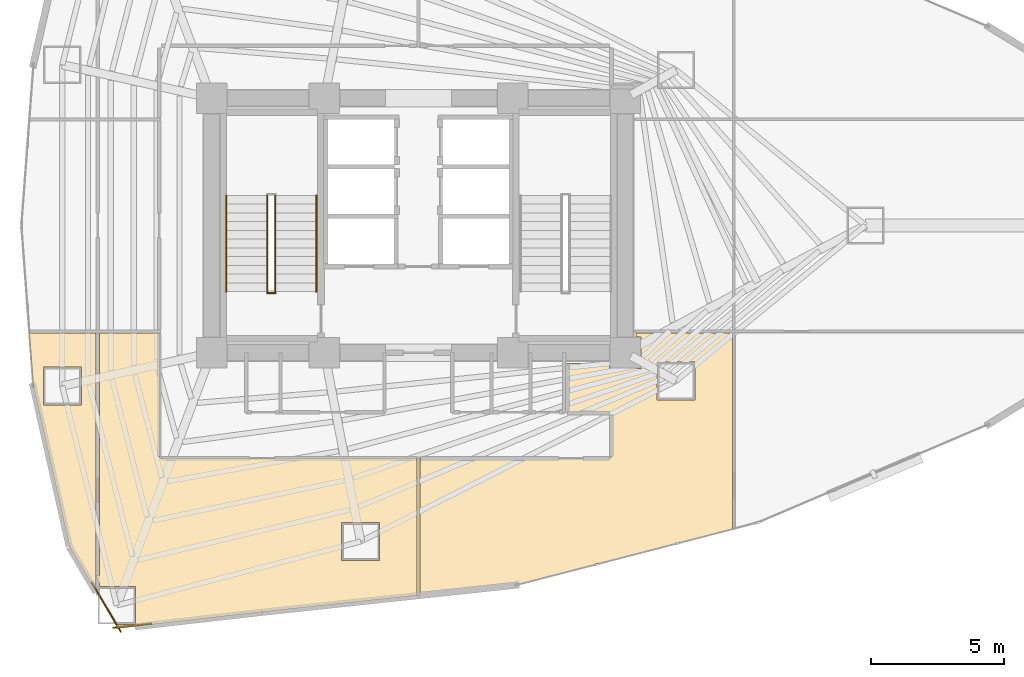
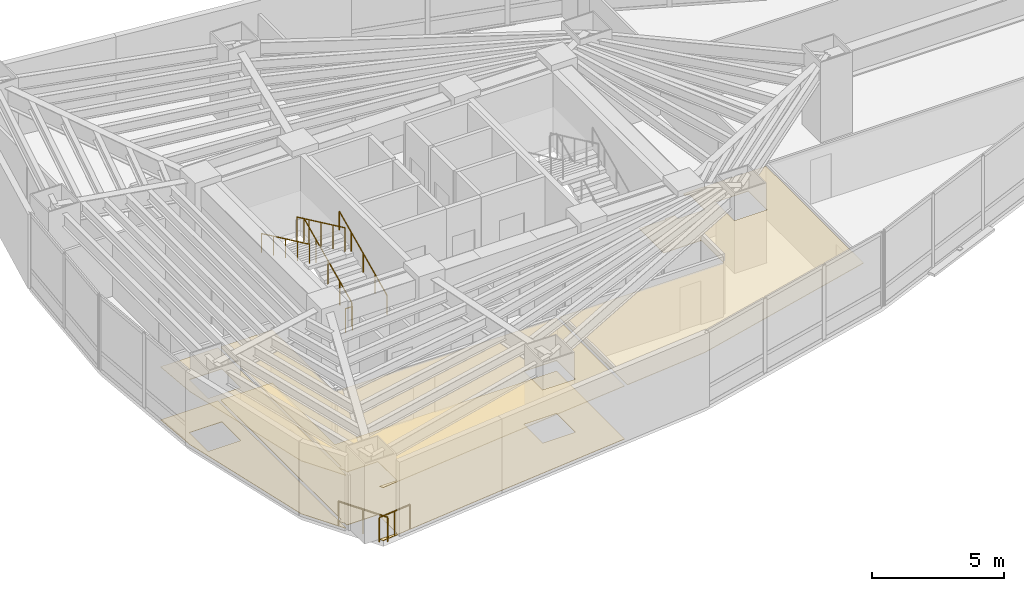
# One storey, part 18 of 20: 7 railings, 5 coverings.
"""IFC4 building model written with IfcOpenShell, lengths in metres."""

from ifc_helpers import new_model, si_unit, direction, frame, origin, origin_2d, place, context, subcontext, project, spatial, polyline, circle, outline, extrude, material, layer, layer_set, type_object, element, save


model = new_model("IFC4")

# Units and contexts
model_context = context("Model", 3, precision=1e-05, world=origin(), true_north=direction((0.0, 1.0)))
body_context = subcontext(model_context, "Body", "Model", "MODEL_VIEW")
ifc_project = project(units=[si_unit("LENGTHUNIT", "METRE"), si_unit("AREAUNIT", "SQUARE_METRE"), si_unit("VOLUMEUNIT", "CUBIC_METRE"), si_unit("PLANEANGLEUNIT", "RADIAN"), si_unit("MASSUNIT", "GRAM", prefix="KILO")], contexts=[model_context])

# Site, building, storey
site_placement = place(None, origin())
site = spatial("IfcSite", under=ifc_project, at=site_placement, CompositionType="ELEMENT")
building_placement = place(site_placement, origin())
building = spatial("IfcBuilding", under=site, at=building_placement, Name="Menara Vayukalpa", CompositionType="ELEMENT")
storey_placement = place(building_placement, frame((0.0, 0.0, 64.800048828125)))
storey = spatial("IfcBuildingStorey", under=building, at=storey_placement, Name="L15", CompositionType="ELEMENT", Elevation=64.800048828125)

# Coverings
ifc_material_1 = material(Name="Mineral Fibre Acoustic Ceiling Tile", Category="masonry")
ifc_layer_1 = layer(ifc_material_1, 0.02490234375)
ifc_layer_set_1 = layer_set([ifc_layer_1], Name="Mineral Fibre Acoustic Ceiling Tile")
covering_type_1 = type_object("IfcCoveringType", Name="COV-CLG1", PredefinedType="CEILING", material=ifc_layer_set_1)
covering_1_placement = place(storey_placement, frame((0.0, 0.0, 2.449951171875)))
element("IfcCovering", 1, at=covering_1_placement, inside=storey, type_object=covering_type_1, Name="L15 Technical Reference Library Acoustic Ceiling", PredefinedType="CEILING", context=body_context, shape_type="SweptSolid", body=[
    extrude(outline(polyline([(12.43701171875, 9.885009765625), (12.4365234375, 9.885986328125), (11.07421875, 15.941162109375), (11.073974609375, 15.942626953125), (10.925048828125, 17.92919921875), (10.925048828125, 17.93017578125), (10.925048828125, 17.93115234375), (10.92529296875, 17.93212890625), (10.925537109375, 17.93310546875), (10.92578125, 17.93408203125), (10.92626953125, 17.934814453125), (10.9267578125, 17.935791015625), (10.92724609375, 17.936279296875), (10.927978515625, 17.93701171875), (10.9287109375, 17.937744140625), (10.929443359375, 17.9384765625), (10.930419921875, 17.93896484375), (10.93115234375, 17.939208984375), (10.93212890625, 17.939697265625), (10.93310546875, 17.939697265625), (10.93408203125, 17.93994140625), (10.93505859375, 17.93994140625), (13.429931640625, 17.93994140625), (13.430908203125, 17.93994140625), (13.431884765625, 17.939697265625), (13.432861328125, 17.939697265625), (13.433837890625, 17.939208984375), (13.434814453125, 17.938720703125), (13.435546875, 17.938232421875), (13.436279296875, 17.937744140625), (13.43701171875, 17.93701171875), (13.437744140625, 17.936279296875), (13.438232421875, 17.935546875), (13.438720703125, 17.934814453125), (13.439208984375, 17.933837890625), (13.439697265625, 17.932861328125), (13.439697265625, 17.931884765625), (13.43994140625, 17.930908203125), (13.43994140625, 17.929931640625), (13.43994140625, 8.215087890625), (13.43994140625, 8.214111328125), (13.439697265625, 8.213134765625), (13.439697265625, 8.212158203125), (13.439208984375, 8.211181640625), (13.43896484375, 8.21044921875), (13.4384765625, 8.209716796875), (13.437744140625, 8.208740234375), (13.437255859375, 8.2080078125), (13.436279296875, 8.20751953125), (13.435791015625, 8.206787109375), (13.434814453125, 8.206298828125), (13.43408203125, 8.205810546875), (13.43310546875, 8.20556640625), (13.43212890625, 8.205322265625), (13.43115234375, 8.205078125), (13.43017578125, 8.205078125), (13.42919921875, 8.205078125), (13.42822265625, 8.205078125), (13.427490234375, 8.20556640625), (13.426513671875, 8.205810546875), (13.425537109375, 8.2060546875), (13.4248046875, 8.20654296875), (13.423828125, 8.207275390625), (13.423095703125, 8.207763671875), (13.422607421875, 8.20849609375), (13.421875, 8.209228515625), (13.42138671875, 8.2099609375), (12.437744140625, 9.88330078125), (12.437255859375, 9.884033203125), (12.43701171875, 9.885009765625)]), holes=[polyline([(12.879150390625, 16.655517578125), (11.44921875, 16.655517578125), (11.44921875, 15.225341796875), (12.879150390625, 15.225341796875), (12.879150390625, 16.655517578125)])]), origin(), (0.0, 0.0, 1.0), 0.02490234375),
])
covering_2_placement = place(storey_placement, frame((0.0, 0.0, 2.449951171875)))
element("IfcCovering", 2, at=covering_2_placement, inside=storey, type_object=covering_type_1, Name="L15 Technical Reference Library Acoustic Ceiling", PredefinedType="CEILING", context=body_context, shape_type="SweptSolid", body=[
    extrude(outline(polyline([(13.56005859375, 8.800537109375), (13.56005859375, 17.929931640625), (13.56005859375, 17.930908203125), (13.560302734375, 17.931884765625), (13.560302734375, 17.932861328125), (13.560791015625, 17.933837890625), (13.561279296875, 17.934814453125), (13.561767578125, 17.935546875), (13.562255859375, 17.936279296875), (13.56298828125, 17.93701171875), (13.563720703125, 17.937744140625), (13.564453125, 17.938232421875), (13.565185546875, 17.938720703125), (13.566162109375, 17.939208984375), (13.567138671875, 17.939697265625), (13.568115234375, 17.939697265625), (13.569091796875, 17.93994140625), (13.570068359375, 17.93994140625), (15.820068359375, 17.93994140625), (15.821044921875, 17.93994140625), (15.822021484375, 17.939697265625), (15.822998046875, 17.939697265625), (15.82373046875, 17.939208984375), (15.82470703125, 17.938720703125), (15.82568359375, 17.938232421875), (15.826416015625, 17.937744140625), (15.8271484375, 17.93701171875), (15.82763671875, 17.936279296875), (15.828369140625, 17.935546875), (15.828857421875, 17.934814453125), (15.8291015625, 17.933837890625), (15.82958984375, 17.932861328125), (15.829833984375, 17.931884765625), (15.830078125, 17.930908203125), (15.830078125, 17.929931640625), (15.830078125, 13.290283203125), (15.830322265625, 13.283203125), (15.831298828125, 13.2763671875), (15.8330078125, 13.269775390625), (15.835205078125, 13.26318359375), (15.838134765625, 13.257080078125), (15.841796875, 13.251220703125), (15.845947265625, 13.24560546875), (15.8505859375, 13.240478515625), (15.85546875, 13.236083984375), (15.861083984375, 13.231689453125), (15.866943359375, 13.228271484375), (15.873291015625, 13.225341796875), (15.879638671875, 13.222900390625), (15.88623046875, 13.22119140625), (15.893310546875, 13.220458984375), (15.900390625, 13.219970703125), (25.530029296875, 13.219970703125), (25.531005859375, 13.219970703125), (25.531982421875, 13.2197265625), (25.532958984375, 13.219482421875), (25.53369140625, 13.21923828125), (25.53466796875, 13.21875), (25.53564453125, 13.21826171875), (25.536376953125, 13.2177734375), (25.537109375, 13.217041015625), (25.53759765625, 13.21630859375), (25.538330078125, 13.215576171875), (25.538818359375, 13.214599609375), (25.539306640625, 13.2138671875), (25.53955078125, 13.212890625), (25.539794921875, 13.2119140625), (25.5400390625, 13.2109375), (25.5400390625, 13.2099609375), (25.5400390625, 8.0498046875), (25.5400390625, 8.048828125), (25.539794921875, 8.048095703125), (25.53955078125, 8.047119140625), (25.539306640625, 8.046142578125), (25.538818359375, 8.045166015625), (25.538330078125, 8.04443359375), (25.537841796875, 8.043701171875), (25.537109375, 8.04296875), (25.536376953125, 8.042236328125), (25.53564453125, 8.04150390625), (25.534912109375, 8.041015625), (25.533935546875, 8.040771484375), (25.532958984375, 8.040283203125), (25.531982421875, 8.0400390625), (25.531005859375, 8.0400390625), (19.70068359375, 7.415771484375), (19.700439453125, 7.415771484375), (14.258056640625, 6.798583984375), (14.257080078125, 6.79833984375), (14.256103515625, 6.79833984375), (14.255126953125, 6.798583984375), (14.254150390625, 6.798828125), (14.25341796875, 6.799072265625), (14.25244140625, 6.799560546875), (14.251708984375, 6.7998046875), (14.250732421875, 6.800537109375), (14.25, 6.801025390625), (14.24951171875, 6.8017578125), (14.248779296875, 6.802490234375), (14.248291015625, 6.80322265625), (14.16162109375, 6.95068359375), (14.9326171875, 6.95068359375), (14.9326171875, 8.380615234375), (13.56005859375, 8.380615234375), (13.56005859375, 8.507080078125), (13.387451171875, 8.800537109375), (13.56005859375, 8.800537109375)]), holes=[polyline([(24.134521484375, 10.792236328125), (22.704345703125, 10.792236328125), (22.704345703125, 9.3623046875), (24.134521484375, 9.3623046875), (24.134521484375, 10.792236328125)])]), origin(), (0.0, 0.0, 1.0), 0.02490234375),
])
covering_3_placement = place(storey_placement, frame((0.0, 0.0, 2.449951171875)))
element("IfcCovering", 3, at=covering_3_placement, inside=storey, type_object=covering_type_1, Name="L15 Technical Reference Library Acoustic Ceiling", PredefinedType="CEILING", context=body_context, shape_type="SweptSolid", body=[
    extrude(outline(polyline([(25.671142578125, 8.054931640625), (25.670166015625, 8.054931640625), (25.669189453125, 8.054931640625), (25.668212890625, 8.05517578125), (25.667236328125, 8.055419921875), (25.666259765625, 8.0556640625), (25.665283203125, 8.05615234375), (25.66455078125, 8.056640625), (25.663818359375, 8.05712890625), (25.6630859375, 8.057861328125), (25.662353515625, 8.05859375), (25.66162109375, 8.059326171875), (25.6611328125, 8.060302734375), (25.660888671875, 8.06103515625), (25.660400390625, 8.06201171875), (25.66015625, 8.06298828125), (25.659912109375, 8.06396484375), (25.659912109375, 8.06494140625), (25.659912109375, 13.2099609375), (25.659912109375, 13.2109375), (25.66015625, 13.2119140625), (25.660400390625, 13.212890625), (25.660888671875, 13.2138671875), (25.6611328125, 13.214599609375), (25.66162109375, 13.215576171875), (25.662353515625, 13.21630859375), (25.662841796875, 13.217041015625), (25.663818359375, 13.2177734375), (25.664306640625, 13.21826171875), (25.665283203125, 13.21875), (25.666259765625, 13.21923828125), (25.6669921875, 13.219482421875), (25.66796875, 13.2197265625), (25.6689453125, 13.219970703125), (25.669921875, 13.219970703125), (32.7998046875, 13.219970703125), (32.806884765625, 13.220458984375), (32.813720703125, 13.22119140625), (32.8203125, 13.222900390625), (32.826904296875, 13.225341796875), (32.8330078125, 13.228271484375), (32.8388671875, 13.231689453125), (32.844482421875, 13.236083984375), (32.849609375, 13.240478515625), (32.85400390625, 13.24560546875), (32.858154296875, 13.251220703125), (32.86181640625, 13.257080078125), (32.86474609375, 13.26318359375), (32.866943359375, 13.269775390625), (32.86865234375, 13.2763671875), (32.86962890625, 13.283203125), (32.8701171875, 13.290283203125), (32.8701171875, 14.849609375), (32.86962890625, 14.856689453125), (32.86865234375, 14.86376953125), (32.866943359375, 14.870361328125), (32.86474609375, 14.876708984375), (32.86181640625, 14.883056640625), (32.858154296875, 14.888916015625), (32.85400390625, 14.89453125), (32.849609375, 14.8994140625), (32.844482421875, 14.904052734375), (32.8388671875, 14.908203125), (32.8330078125, 14.911865234375), (32.826904296875, 14.914794921875), (32.8203125, 14.9169921875), (32.813720703125, 14.918701171875), (32.806884765625, 14.919677734375), (32.7998046875, 14.919921875), (31.219970703125, 14.919921875), (31.218994140625, 14.919921875), (31.218017578125, 14.920166015625), (31.217041015625, 14.92041015625), (31.21630859375, 14.9208984375), (31.21533203125, 14.921142578125), (31.21435546875, 14.921630859375), (31.213623046875, 14.92236328125), (31.212890625, 14.9228515625), (31.21240234375, 14.923583984375), (31.211669921875, 14.92431640625), (31.211181640625, 14.92529296875), (31.210693359375, 14.92626953125), (31.21044921875, 14.927001953125), (31.210205078125, 14.927978515625), (31.2099609375, 14.928955078125), (31.2099609375, 14.929931640625), (31.2099609375, 16.780029296875), (31.2099609375, 16.781005859375), (31.210205078125, 16.781982421875), (31.21044921875, 16.782958984375), (31.210693359375, 16.78369140625), (31.211181640625, 16.78466796875), (31.211669921875, 16.78564453125), (31.21240234375, 16.786376953125), (31.212890625, 16.787109375), (31.213623046875, 16.78759765625), (31.21435546875, 16.788330078125), (31.21533203125, 16.788818359375), (31.21630859375, 16.789306640625), (31.217041015625, 16.78955078125), (31.218017578125, 16.789794921875), (31.218994140625, 16.7900390625), (31.219970703125, 16.7900390625), (32.389892578125, 16.7900390625), (32.389892578125, 16.85009765625), (32.81005859375, 16.85009765625), (32.81005859375, 16.610107421875), (33.989990234375, 16.610107421875), (33.989990234375, 17.7900390625), (33.81005859375, 17.7900390625), (33.81005859375, 17.929931640625), (33.81005859375, 17.930908203125), (33.810302734375, 17.931884765625), (33.810302734375, 17.932861328125), (33.810791015625, 17.933837890625), (33.811279296875, 17.934814453125), (33.811767578125, 17.935546875), (33.812255859375, 17.936279296875), (33.81298828125, 17.93701171875), (33.813720703125, 17.937744140625), (33.814453125, 17.938232421875), (33.815185546875, 17.938720703125), (33.816162109375, 17.939208984375), (33.817138671875, 17.939697265625), (33.818115234375, 17.939697265625), (33.819091796875, 17.93994140625), (33.820068359375, 17.93994140625), (37.429931640625, 17.93994140625), (37.430908203125, 17.93994140625), (37.431884765625, 17.939697265625), (37.432861328125, 17.939697265625), (37.433837890625, 17.939208984375), (37.434814453125, 17.938720703125), (37.435546875, 17.938232421875), (37.436279296875, 17.937744140625), (37.43701171875, 17.93701171875), (37.437744140625, 17.936279296875), (37.438232421875, 17.935546875), (37.438720703125, 17.934814453125), (37.439208984375, 17.933837890625), (37.439697265625, 17.932861328125), (37.439697265625, 17.931884765625), (37.43994140625, 17.930908203125), (37.43994140625, 17.929931640625), (37.43994140625, 10.55859375), (37.43994140625, 10.5576171875), (37.439697265625, 10.556640625), (37.439453125, 10.5556640625), (37.439208984375, 10.5546875), (37.438720703125, 10.5537109375), (37.438232421875, 10.552978515625), (37.4375, 10.552001953125), (37.43701171875, 10.551513671875), (37.43603515625, 10.55078125), (37.435302734375, 10.550048828125), (37.434326171875, 10.549560546875), (37.43359375, 10.54931640625), (37.4326171875, 10.548828125), (29.287109375, 8.442138671875), (29.28564453125, 8.44189453125), (25.671142578125, 8.054931640625)]), holes=[polyline([(36.032958984375, 16.851806640625), (34.60302734375, 16.851806640625), (34.60302734375, 15.421875), (36.032958984375, 15.421875), (36.032958984375, 16.851806640625)])]), origin(), (0.0, 0.0, 1.0), 0.02490234375),
])
ifc_material_2 = material(Name="Porcelain Stoneware Floor Tile", Category="masonry")
ifc_layer_2 = layer(ifc_material_2, 0.02001953125)
ifc_layer_set_2 = layer_set([ifc_layer_2], Name="Porcelain Stoneware Floor Tile")
covering_type_2 = type_object("IfcCoveringType", Name="COV-FLR1", PredefinedType="FLOORING", material=ifc_layer_set_2)
covering_4_placement = place(storey_placement, origin())
element("IfcCovering", 4, at=covering_4_placement, inside=storey, type_object=covering_type_2, Name="L15 Technical Reference Library Porcelain Flooring", PredefinedType="FLOORING", context=body_context, shape_type="SweptSolid", body=[
    extrude(outline(polyline([(12.43701171875, 9.885009765625), (12.4365234375, 9.885986328125), (11.07421875, 15.941162109375), (11.073974609375, 15.942626953125), (10.925048828125, 17.92919921875), (10.925048828125, 17.93017578125), (10.925048828125, 17.93115234375), (10.92529296875, 17.93212890625), (10.925537109375, 17.93310546875), (10.92578125, 17.93408203125), (10.92626953125, 17.934814453125), (10.9267578125, 17.935791015625), (10.92724609375, 17.936279296875), (10.927978515625, 17.93701171875), (10.9287109375, 17.937744140625), (10.929443359375, 17.9384765625), (10.930419921875, 17.93896484375), (10.93115234375, 17.939208984375), (10.93212890625, 17.939697265625), (10.93310546875, 17.939697265625), (10.93408203125, 17.93994140625), (10.93505859375, 17.93994140625), (13.429931640625, 17.93994140625), (13.430908203125, 17.93994140625), (13.431884765625, 17.939697265625), (13.432861328125, 17.939697265625), (13.433837890625, 17.939208984375), (13.434814453125, 17.938720703125), (13.435546875, 17.938232421875), (13.436279296875, 17.937744140625), (13.43701171875, 17.93701171875), (13.437744140625, 17.936279296875), (13.438232421875, 17.935546875), (13.438720703125, 17.934814453125), (13.439208984375, 17.933837890625), (13.439697265625, 17.932861328125), (13.439697265625, 17.931884765625), (13.43994140625, 17.930908203125), (13.43994140625, 17.929931640625), (13.43994140625, 8.215087890625), (13.43994140625, 8.214111328125), (13.439697265625, 8.213134765625), (13.439697265625, 8.212158203125), (13.439208984375, 8.211181640625), (13.43896484375, 8.21044921875), (13.4384765625, 8.209716796875), (13.437744140625, 8.208740234375), (13.437255859375, 8.2080078125), (13.436279296875, 8.20751953125), (13.435791015625, 8.206787109375), (13.434814453125, 8.206298828125), (13.43408203125, 8.205810546875), (13.43310546875, 8.20556640625), (13.43212890625, 8.205322265625), (13.43115234375, 8.205078125), (13.43017578125, 8.205078125), (13.42919921875, 8.205078125), (13.42822265625, 8.205078125), (13.427490234375, 8.20556640625), (13.426513671875, 8.205810546875), (13.425537109375, 8.2060546875), (13.4248046875, 8.20654296875), (13.423828125, 8.207275390625), (13.423095703125, 8.207763671875), (13.422607421875, 8.20849609375), (13.421875, 8.209228515625), (13.42138671875, 8.2099609375), (12.437744140625, 9.88330078125), (12.437255859375, 9.884033203125), (12.43701171875, 9.885009765625)]), holes=[polyline([(12.879150390625, 16.655517578125), (11.44921875, 16.655517578125), (11.44921875, 15.225341796875), (12.879150390625, 15.225341796875), (12.879150390625, 16.655517578125)])]), origin(), (0.0, 0.0, 1.0), 0.02001953125),
])
covering_5_placement = place(storey_placement, origin())
element("IfcCovering", 5, at=covering_5_placement, inside=storey, type_object=covering_type_2, Name="L15 Technical Reference Library Porcelain Flooring", PredefinedType="FLOORING", context=body_context, shape_type="SweptSolid", body=[
    extrude(outline(polyline([(13.56005859375, 8.800537109375), (13.56005859375, 17.929931640625), (13.56005859375, 17.930908203125), (13.560302734375, 17.931884765625), (13.560302734375, 17.932861328125), (13.560791015625, 17.933837890625), (13.561279296875, 17.934814453125), (13.561767578125, 17.935546875), (13.562255859375, 17.936279296875), (13.56298828125, 17.93701171875), (13.563720703125, 17.937744140625), (13.564453125, 17.938232421875), (13.565185546875, 17.938720703125), (13.566162109375, 17.939208984375), (13.567138671875, 17.939697265625), (13.568115234375, 17.939697265625), (13.569091796875, 17.93994140625), (13.570068359375, 17.93994140625), (15.820068359375, 17.93994140625), (15.821044921875, 17.93994140625), (15.822021484375, 17.939697265625), (15.822998046875, 17.939697265625), (15.82373046875, 17.939208984375), (15.82470703125, 17.938720703125), (15.82568359375, 17.938232421875), (15.826416015625, 17.937744140625), (15.8271484375, 17.93701171875), (15.82763671875, 17.936279296875), (15.828369140625, 17.935546875), (15.828857421875, 17.934814453125), (15.8291015625, 17.933837890625), (15.82958984375, 17.932861328125), (15.829833984375, 17.931884765625), (15.830078125, 17.930908203125), (15.830078125, 17.929931640625), (15.830078125, 13.290283203125), (15.830322265625, 13.283203125), (15.831298828125, 13.2763671875), (15.8330078125, 13.269775390625), (15.835205078125, 13.26318359375), (15.838134765625, 13.257080078125), (15.841796875, 13.251220703125), (15.845947265625, 13.24560546875), (15.8505859375, 13.240478515625), (15.85546875, 13.236083984375), (15.861083984375, 13.231689453125), (15.866943359375, 13.228271484375), (15.873291015625, 13.225341796875), (15.879638671875, 13.222900390625), (15.88623046875, 13.22119140625), (15.893310546875, 13.220458984375), (15.900390625, 13.219970703125), (25.530029296875, 13.219970703125), (25.531005859375, 13.219970703125), (25.531982421875, 13.2197265625), (25.532958984375, 13.219482421875), (25.53369140625, 13.21923828125), (25.53466796875, 13.21875), (25.53564453125, 13.21826171875), (25.536376953125, 13.2177734375), (25.537109375, 13.217041015625), (25.53759765625, 13.21630859375), (25.538330078125, 13.215576171875), (25.538818359375, 13.214599609375), (25.539306640625, 13.2138671875), (25.53955078125, 13.212890625), (25.539794921875, 13.2119140625), (25.5400390625, 13.2109375), (25.5400390625, 13.2099609375), (25.5400390625, 8.0498046875), (25.5400390625, 8.048828125), (25.539794921875, 8.048095703125), (25.53955078125, 8.047119140625), (25.539306640625, 8.046142578125), (25.538818359375, 8.045166015625), (25.538330078125, 8.04443359375), (25.537841796875, 8.043701171875), (25.537109375, 8.04296875), (25.536376953125, 8.042236328125), (25.53564453125, 8.04150390625), (25.534912109375, 8.041015625), (25.533935546875, 8.040771484375), (25.532958984375, 8.040283203125), (25.531982421875, 8.0400390625), (25.531005859375, 8.0400390625), (19.70068359375, 7.415771484375), (19.700439453125, 7.415771484375), (14.258056640625, 6.798583984375), (14.257080078125, 6.79833984375), (14.256103515625, 6.79833984375), (14.255126953125, 6.798583984375), (14.254150390625, 6.798828125), (14.25341796875, 6.799072265625), (14.25244140625, 6.799560546875), (14.251708984375, 6.7998046875), (14.250732421875, 6.800537109375), (14.25, 6.801025390625), (14.24951171875, 6.8017578125), (14.248779296875, 6.802490234375), (14.248291015625, 6.80322265625), (14.16162109375, 6.95068359375), (14.9326171875, 6.95068359375), (14.9326171875, 8.380615234375), (13.56005859375, 8.380615234375), (13.56005859375, 8.507080078125), (13.387451171875, 8.800537109375), (13.56005859375, 8.800537109375)]), holes=[polyline([(24.134521484375, 10.792236328125), (22.704345703125, 10.792236328125), (22.704345703125, 9.3623046875), (24.134521484375, 9.3623046875), (24.134521484375, 10.792236328125)])]), origin(), (0.0, 0.0, 1.0), 0.02001953125),
])

# Railings
ifc_material_3 = material(Name="Laminated Glass and Stainless Steel 316 Guardrail", Category="steel")
railing_type_1 = type_object("IfcRailingType", Name="RLG-EXT115", PredefinedType="GUARDRAIL", material=ifc_material_3)
railing_1_placement = place(storey_placement, frame((13.27978515625, 8.529541015625, 0.0)))
element("IfcRailing", 6, at=railing_1_placement, inside=storey, type_object=railing_type_1, Name="L15 Column Corner Spandrel Guardrail 13-1", PredefinedType="GUARDRAIL", context=body_context, shape_type="SweptSolid", body=[
    extrude(circle(Radius=0.02392578125, at=origin_2d()), frame((0.0, 0.0, 1.1259765625), z_axis=(0.506816821418, -0.862053774151, 0.0), x_axis=(0.862053774151, 0.506816821418, 0.0)), (0.0, 0.0, 1.0), 2.15185546875),
    extrude(circle(Radius=0.02099609375, at=origin_2d()), origin(), (0.0, 0.0, 1.0), 1.101806640625),
    extrude(circle(Radius=0.02099609375, at=origin_2d()), frame((0.54541015625, -0.927490234375, 0.0)), (0.0, 0.0, 1.0), 1.101806640625),
    extrude(circle(Radius=0.02099609375, at=origin_2d()), frame((1.090576171875, -1.85498046875, 0.0)), (0.0, 0.0, 1.0), 1.101806640625),
])
railing_2_placement = place(storey_placement, frame((14.08154296875, 6.81884765625, 0.0)))
element("IfcRailing", 7, at=railing_2_placement, inside=storey, type_object=railing_type_1, Name="L15 Column Corner Spandrel Guardrail 14-1", PredefinedType="GUARDRAIL", context=body_context, shape_type="SweptSolid", body=[
    extrude(circle(Radius=0.02392578125, at=origin_2d()), frame((0.0, 0.0, 1.1259765625), z_axis=(0.993641249981, 0.112592479038, 0.0), x_axis=(-0.112592479038, 0.993641249981, 0.0)), (0.0, 0.0, 1.0), 1.45068359375),
    extrude(circle(Radius=0.02099609375, at=origin_2d()), origin(), (0.0, 0.0, 1.0), 1.101806640625),
    extrude(circle(Radius=0.02099609375, at=origin_2d()), frame((0.720703125, 0.08154296875, 0.0)), (0.0, 0.0, 1.0), 1.101806640625),
    extrude(circle(Radius=0.02099609375, at=origin_2d()), frame((1.44140625, 0.163330078125, 0.0)), (0.0, 0.0, 1.0), 1.101806640625),
])
ifc_material_4 = material(Name="Powder-Coated Galvanised Steel Guardrail", Category="steel")
railing_type_2 = type_object("IfcRailingType", Name="RLG-STG110", PredefinedType="GUARDRAIL", material=ifc_material_4)
railing_3_placement = place(storey_placement, frame((20.199951171875, 19.5, 0.155029296875)))
element("IfcRailing", 8, at=railing_3_placement, inside=storey, type_object=railing_type_2, Name="L15 ST-1 stair guard 1", PredefinedType="GUARDRAIL", context=body_context, shape_type="SweptSolid", body=[
    extrude(circle(Radius=0.02392578125, at=origin_2d()), frame((0.0, 0.0, 1.09619140625), z_axis=(0.0, 0.90513990983, 0.425113800803), x_axis=(-1.0, 0.0, 0.0)), (0.0, 0.0, 1.0), 4.01025390625),
    extrude(circle(Radius=0.02099609375, at=origin_2d()), origin(), (0.0, 0.0, 1.0), 1.072021484375),
    extrude(circle(Radius=0.02099609375, at=origin_2d()), frame((0.0, 0.907470703125, 0.42626953125)), (0.0, 0.0, 1.0), 1.072021484375),
    extrude(circle(Radius=0.02099609375, at=origin_2d()), frame((0.0, 1.81494140625, 0.8525390625)), (0.0, 0.0, 1.0), 1.072021484375),
    extrude(circle(Radius=0.02099609375, at=origin_2d()), frame((0.0, 2.722412109375, 1.278564453125)), (0.0, 0.0, 1.0), 1.072021484375),
    extrude(circle(Radius=0.02099609375, at=origin_2d()), frame((0.0, 3.6298828125, 1.704833984375)), (0.0, 0.0, 1.0), 1.072021484375),
])
railing_4_placement = place(storey_placement, frame((19.89990234375, 23.1298828125, 2.014892578125)))
element("IfcRailing", 9, at=railing_4_placement, inside=storey, type_object=railing_type_2, Name="L15 ST-1 stair guard 3", PredefinedType="GUARDRAIL", context=body_context, shape_type="SweptSolid", body=[
    extrude(circle(Radius=0.02392578125, at=origin_2d()), frame((0.0, 0.0, 1.09619140625), z_axis=(0.0, -0.90511648382, 0.425163675209), x_axis=(1.0, 0.0, 0.0)), (0.0, 0.0, 1.0), 4.010498046875),
    extrude(circle(Radius=0.02099609375, at=origin_2d()), origin(), (0.0, 0.0, 1.0), 1.072021484375),
    extrude(circle(Radius=0.02099609375, at=origin_2d()), frame((0.0, -0.907470703125, 0.42626953125)), (0.0, 0.0, 1.0), 1.072021484375),
    extrude(circle(Radius=0.02099609375, at=origin_2d()), frame((0.0, -1.81494140625, 0.8525390625)), (0.0, 0.0, 1.0), 1.072021484375),
    extrude(circle(Radius=0.02099609375, at=origin_2d()), frame((0.0, -2.722412109375, 1.27880859375)), (0.0, 0.0, 1.0), 1.072021484375),
    extrude(circle(Radius=0.02099609375, at=origin_2d()), frame((0.0, -3.6298828125, 1.705078125)), (0.0, 0.0, 1.0), 1.072021484375),
])
railing_5_placement = place(storey_placement, frame((20.2099609375, 19.449951171875, 0.0)))
element("IfcRailing", 10, at=railing_5_placement, inside=storey, type_object=railing_type_2, Name="L15 ST-1 stair guard 4", PredefinedType="GUARDRAIL", context=body_context, shape_type="SweptSolid", body=[
    extrude(circle(Radius=0.02392578125, at=origin_2d()), frame((0.0, 0.0, 1.09619140625), z_axis=(-1.0, 0.0, 0.0), x_axis=(0.0, -1.0, 0.0)), (0.0, 0.0, 1.0), 0.320068359375),
    extrude(circle(Radius=0.02099609375, at=origin_2d()), origin(), (0.0, 0.0, 1.0), 1.072021484375),
    extrude(circle(Radius=0.02099609375, at=origin_2d()), frame((-0.320068359375, 0.0, 0.0)), (0.0, 0.0, 1.0), 1.072021484375),
])
ifc_material_5 = material(Name="Stainless Steel 316 Tubular Handrail", Category="steel")
railing_type_3 = type_object("IfcRailingType", Name="RLG-STH090", PredefinedType="HANDRAIL", material=ifc_material_5)
railing_6_placement = place(storey_placement, frame((21.75, 19.5, 0.155029296875)))
element("IfcRailing", 11, at=railing_6_placement, inside=storey, type_object=railing_type_3, Name="L15 ST-1 stair handrail 1", PredefinedType="HANDRAIL", context=body_context, shape_type="SweptSolid", body=[
    extrude(circle(Radius=0.02392578125, at=origin_2d()), frame((0.0, 0.0, 0.8759765625), z_axis=(0.0, 0.90513990983, 0.425113800803), x_axis=(-1.0, 0.0, 0.0)), (0.0, 0.0, 1.0), 4.01025390625),
    extrude(circle(Radius=0.02099609375, at=origin_2d()), origin(), (0.0, 0.0, 1.0), 0.851806640625),
    extrude(circle(Radius=0.02099609375, at=origin_2d()), frame((0.0, 0.907470703125, 0.42626953125)), (0.0, 0.0, 1.0), 0.851806640625),
    extrude(circle(Radius=0.02099609375, at=origin_2d()), frame((0.0, 1.81494140625, 0.8525390625)), (0.0, 0.0, 1.0), 0.851806640625),
    extrude(circle(Radius=0.02099609375, at=origin_2d()), frame((0.0, 2.722412109375, 1.278564453125)), (0.0, 0.0, 1.0), 0.851806640625),
    extrude(circle(Radius=0.02099609375, at=origin_2d()), frame((0.0, 3.6298828125, 1.704833984375)), (0.0, 0.0, 1.0), 0.851806640625),
])
railing_7_placement = place(storey_placement, frame((18.35009765625, 23.1298828125, 2.014892578125)))
element("IfcRailing", 12, at=railing_7_placement, inside=storey, type_object=railing_type_3, Name="L15 ST-1 stair handrail 2", PredefinedType="HANDRAIL", context=body_context, shape_type="SweptSolid", body=[
    extrude(circle(Radius=0.02392578125, at=origin_2d()), frame((0.0, 0.0, 0.8759765625), z_axis=(0.0, -0.90511648382, 0.425163675209), x_axis=(1.0, 0.0, 0.0)), (0.0, 0.0, 1.0), 4.010498046875),
    extrude(circle(Radius=0.02099609375, at=origin_2d()), origin(), (0.0, 0.0, 1.0), 0.851806640625),
    extrude(circle(Radius=0.02099609375, at=origin_2d()), frame((0.0, -0.907470703125, 0.42626953125)), (0.0, 0.0, 1.0), 0.851806640625),
    extrude(circle(Radius=0.02099609375, at=origin_2d()), frame((0.0, -1.81494140625, 0.8525390625)), (0.0, 0.0, 1.0), 0.851806640625),
    extrude(circle(Radius=0.02099609375, at=origin_2d()), frame((0.0, -2.722412109375, 1.27880859375)), (0.0, 0.0, 1.0), 0.851806640625),
    extrude(circle(Radius=0.02099609375, at=origin_2d()), frame((0.0, -3.6298828125, 1.705078125)), (0.0, 0.0, 1.0), 0.851806640625),
])

save(model, "model.ifc")
